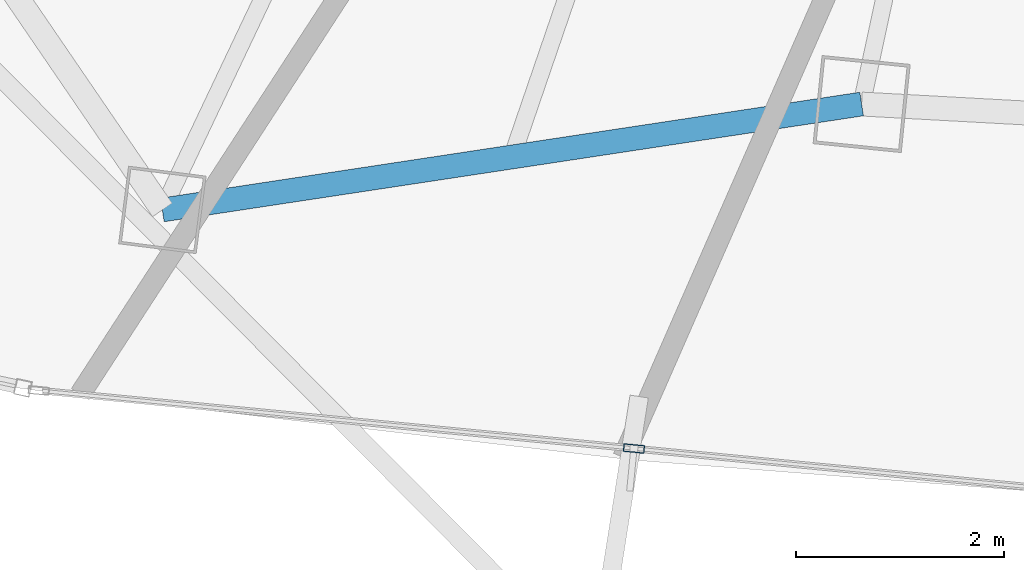
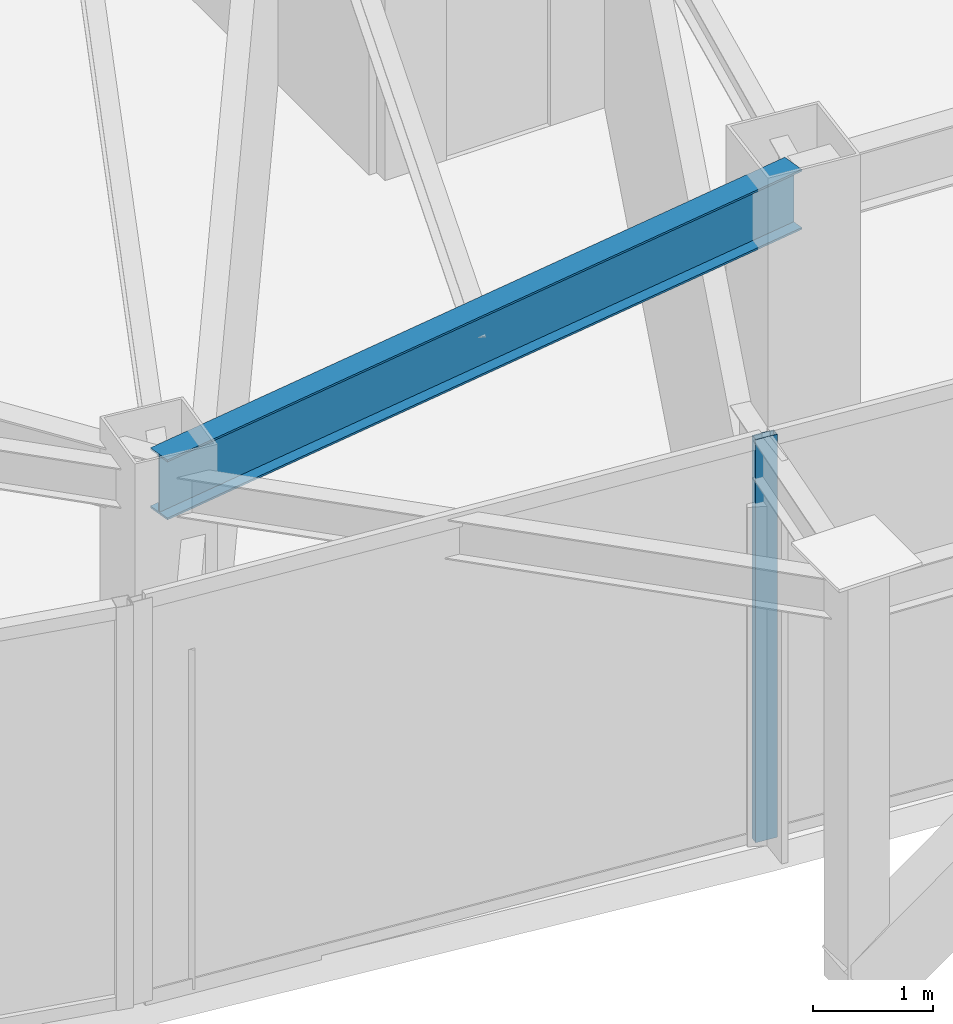
# One storey, part 4 of 28: 1 beam, 1 member, 1 element without a shape of its own.
"""IFC4 building model written with IfcOpenShell, lengths in metres."""

from ifc_helpers import new_model, si_unit, direction, frame, origin, origin_2d, place, context, subcontext, project, spatial, hollow_rectangle, i_section, extrude, material, layer, layer_set, material_profile, profile_set, type_object, element, aggregate, save


model = new_model("IFC4")

# Units and contexts
model_context = context("Model", 3, precision=1e-05, world=origin(), true_north=direction((0.0, 1.0)))
body_context = subcontext(model_context, "Body", "Model", "MODEL_VIEW")
ifc_project = project(units=[si_unit("LENGTHUNIT", "METRE"), si_unit("AREAUNIT", "SQUARE_METRE"), si_unit("VOLUMEUNIT", "CUBIC_METRE"), si_unit("PLANEANGLEUNIT", "RADIAN"), si_unit("MASSUNIT", "GRAM", prefix="KILO")], contexts=[model_context])

# Site, building, storey
site_placement = place(None, origin())
site = spatial("IfcSite", under=ifc_project, at=site_placement, CompositionType="ELEMENT")
building_placement = place(site_placement, origin())
building = spatial("IfcBuilding", under=site, at=building_placement, Name="Orvanel Arch Residences", CompositionType="ELEMENT")
storey_placement = place(building_placement, frame((0.0, 0.0, 146.300048828125)))
storey = spatial("IfcBuildingStorey", under=building, at=storey_placement, Name="L41", CompositionType="ELEMENT", Elevation=146.300048828125)

# Curtain wall, member
ifc_material_1 = material(Name="Bronze-anodised aluminium AA6063-T6", Category="aluminium")
ifc_layer = layer(ifc_material_1, 0.195068359375)
ifc_layer_set = layer_set([ifc_layer], Name="Bronze-anodised aluminium AA6063-T6")
curtain_wall_type = type_object("IfcCurtainWallType", Name="CW6-COM-SYS", PredefinedType="NOTDEFINED", material=ifc_layer_set)
curtain_wall_placement = place(storey_placement, origin())
curtain_wall = element("IfcCurtainWall", 1, at=curtain_wall_placement, inside=storey, type_object=curtain_wall_type, Name="L41 CW6-COM-SYS Unitised Curtain Wall", PredefinedType="NOTDEFINED")
ifc_material_profile_1 = material_profile(ifc_material_1, hollow_rectangle(XDim=0.074951171875, YDim=0.199951171875, WallThickness=0.0048828125, at=origin_2d()), Name="ALU200x75x5")
ifc_profile_set_1 = profile_set([ifc_material_profile_1], Name="Bronze-anodised aluminium AA6063-T6")
member_type = type_object("IfcMemberType", Name="MUL-200x75", PredefinedType="MULLION", material=ifc_profile_set_1)
member_placement = place(storey_placement, frame((21.464599609375, 4.050537109375, 0.0), z_axis=(0.0, 0.0, 1.0), x_axis=(0.096888678236, 0.995295224559, 0.0)))
member = element("IfcMember", 2, at=member_placement, type_object=member_type, Name="CW-S6 mullion 2", PredefinedType="MULLION", context=body_context, shape_type="SweptSolid", body=[
    extrude(hollow_rectangle(XDim=0.074951171875, YDim=0.199951171875, WallThickness=0.0048828125, at=origin_2d()), origin(), (0.0, 0.0, 1.0), 4.10986328125),
])
aggregate(curtain_wall, [member])

# Beam
ifc_material_2 = material(Name="Structural steel AS/NZS 3679.1 Grade 300 (300 MPa)", Category="steel")
ifc_material_profile_2 = material_profile(ifc_material_2, i_section(OverallWidth=0.22900390625, OverallDepth=0.612060546875, WebThickness=0.011962890625, FlangeThickness=0.01953125, at=origin_2d()), Name="610UB125")
ifc_profile_set_2 = profile_set([ifc_material_profile_2], Name="Structural steel AS/NZS 3679.1 Grade 300 (300 MPa)")
beam_type = type_object("IfcBeamType", Name="SP-610UB", PredefinedType="SPANDREL", material=ifc_profile_set_2)
beam_placement = place(storey_placement, frame((16.94091796875, 6.339111328125, 3.803955078125), z_axis=(0.988726323014, 0.149733958002, 0.0), x_axis=(-0.149733958002, 0.988726323014, 0.0)))
element("IfcBeam", 3, at=beam_placement, inside=storey, type_object=beam_type, Name="L41 Perimeter Spandrel Beam 04", PredefinedType="SPANDREL", context=body_context, shape_type="SweptSolid", body=[
    extrude(i_section(OverallWidth=0.22900390625, OverallDepth=0.612060546875, WebThickness=0.011962890625, FlangeThickness=0.01953125, at=origin_2d()), origin(), (0.0, 0.0, 1.0), 6.784423828125),
])

save(model, "model.ifc")
